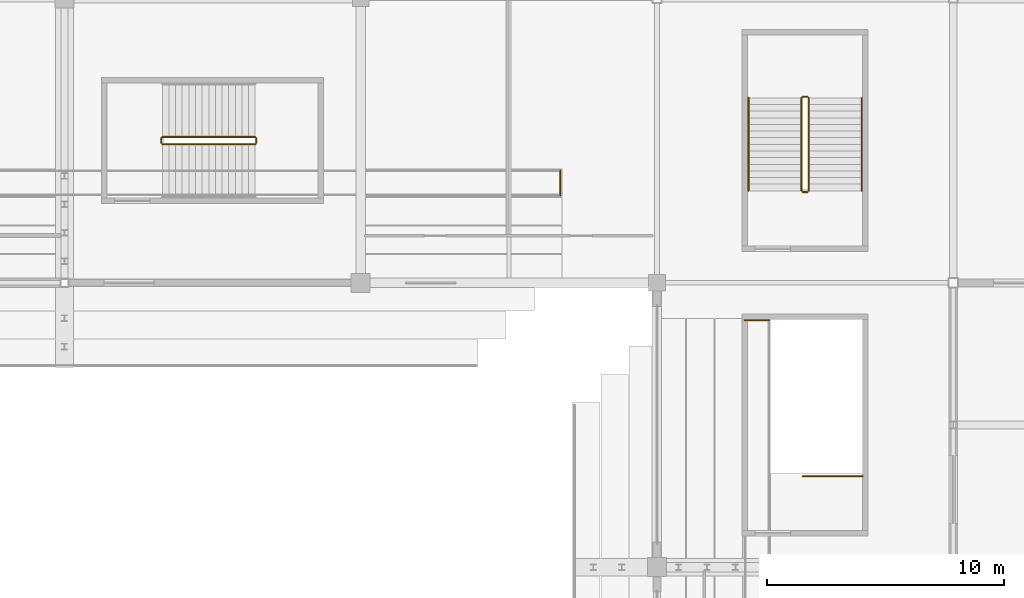
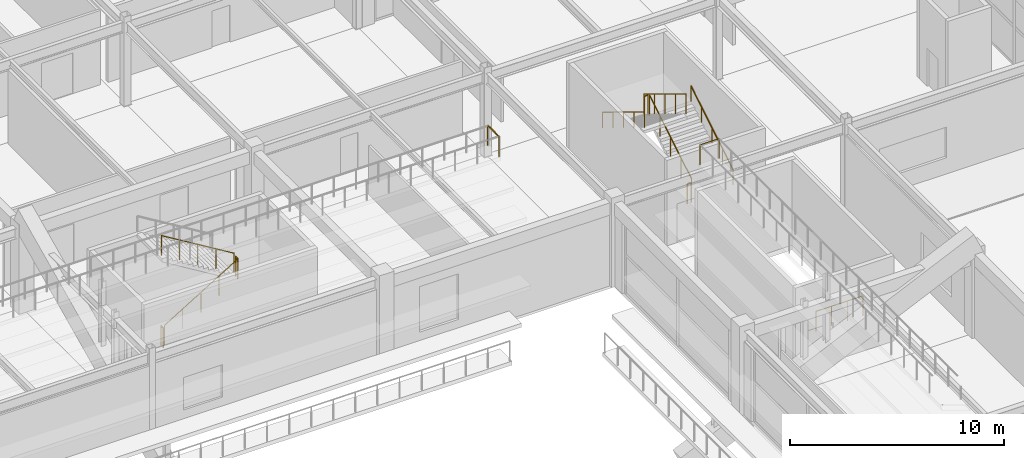
# One storey, part 121 of 128: 13 railings.
"""IFC4 building model written with IfcOpenShell, lengths in metres."""

from ifc_helpers import new_model, si_unit, direction, frame, origin, origin_2d, place, context, subcontext, project, spatial, circle, extrude, material, layer, layer_set, type_object, element, save


model = new_model("IFC4")

# Units and contexts
model_context = context("Model", 3, precision=1e-05, world=origin(), true_north=direction((0.0, 1.0)))
body_context = subcontext(model_context, "Body", "Model", "MODEL_VIEW")
ifc_project = project(units=[si_unit("LENGTHUNIT", "METRE"), si_unit("AREAUNIT", "SQUARE_METRE"), si_unit("VOLUMEUNIT", "CUBIC_METRE"), si_unit("PLANEANGLEUNIT", "RADIAN"), si_unit("MASSUNIT", "GRAM", prefix="KILO")], contexts=[model_context])

# Site, building, storey
site_placement = place(None, origin())
site = spatial("IfcSite", under=ifc_project, at=site_placement, CompositionType="ELEMENT")
building_placement = place(site_placement, origin())
building = spatial("IfcBuilding", under=site, at=building_placement, Name="Kazenohara Klinker Stadium", CompositionType="ELEMENT")
storey_placement = place(building_placement, frame((0.0, 0.0, 15.300048828125)))
storey = spatial("IfcBuildingStorey", under=building, at=storey_placement, Name="L03", CompositionType="ELEMENT", Elevation=15.300048828125)

# Railings
ifc_material_1 = material(Name="Galvanised powder-coated steel guardrail", Category="steel")
ifc_layer_1 = layer(ifc_material_1, 0.070068359375)
ifc_layer_set_1 = layer_set([ifc_layer_1], Name="Galvanised powder-coated steel guardrail")
railing_type_1 = type_object("IfcRailingType", Name="RL-GRD-1150", PredefinedType="GUARDRAIL", material=ifc_layer_set_1)
railing_1_placement = place(storey_placement, frame((178.699951171875, 130.419921875, 6.349853515625)))
element("IfcRailing", 1, at=railing_1_placement, inside=storey, type_object=railing_type_1, Name="Spectator stand sightline guardrail TIER-UPPER-E-01-N", PredefinedType="GUARDRAIL", context=body_context, shape_type="SweptSolid", body=[
    extrude(circle(Radius=0.02392578125, at=origin_2d()), frame((0.0, 0.0, 1.1259765625), z_axis=(1.0, 0.0, 0.0), x_axis=(0.0, 1.0, 0.0)), (0.0, 0.0, 1.0), 1.0400390625),
    extrude(circle(Radius=0.02099609375, at=origin_2d()), origin(), (0.0, 0.0, 1.0), 1.101806640625),
    extrude(circle(Radius=0.02099609375, at=origin_2d()), frame((1.0400390625, 0.0, 0.0)), (0.0, 0.0, 1.0), 1.101806640625),
])
railing_2_placement = place(storey_placement, frame((170.919921875, 135.699951171875, 6.349853515625)))
element("IfcRailing", 2, at=railing_2_placement, inside=storey, type_object=railing_type_1, Name="Spectator stand sightline guardrail TIER-UPPER-N-01-E", PredefinedType="GUARDRAIL", context=body_context, shape_type="SweptSolid", body=[
    extrude(circle(Radius=0.02392578125, at=origin_2d()), frame((0.0, 0.0, 1.1259765625), z_axis=(0.0, 1.0, 0.0), x_axis=(-1.0, 0.0, 0.0)), (0.0, 0.0, 1.0), 1.0400390625),
    extrude(circle(Radius=0.02099609375, at=origin_2d()), origin(), (0.0, 0.0, 1.0), 1.101806640625),
    extrude(circle(Radius=0.02099609375, at=origin_2d()), frame((0.0, 1.0400390625, 0.0)), (0.0, 0.0, 1.0), 1.101806640625),
])
ifc_material_2 = material(Name="Brushed stainless steel 304 handrail", Category="steel")
ifc_layer_2 = layer(ifc_material_2, 0.050048828125)
ifc_layer_set_2 = layer_set([ifc_layer_2], Name="Brushed stainless steel 304 handrail")
railing_type_2 = type_object("IfcRailingType", Name="RL-HND-900", PredefinedType="HANDRAIL", material=ifc_layer_set_2)
railing_3_placement = place(storey_placement, frame((183.639892578125, 135.8798828125, 0.169921875)))
element("IfcRailing", 3, at=railing_3_placement, inside=storey, type_object=railing_type_2, Name="L03 ST12 stair handrail 1", PredefinedType="HANDRAIL", context=body_context, shape_type="SweptSolid", body=[
    extrude(circle(Radius=0.02392578125, at=origin_2d()), frame((0.0, 0.0, 0.8759765625), z_axis=(0.0, 0.854784984964, 0.518982301701), x_axis=(-1.0, 0.0, 0.0)), (0.0, 0.0, 1.0), 4.586181640625),
    extrude(circle(Radius=0.02099609375, at=origin_2d()), origin(), (0.0, 0.0, 1.0), 0.851806640625),
    extrude(circle(Radius=0.02099609375, at=origin_2d()), frame((0.0, 0.97998046875, 0.594970703125)), (0.0, 0.0, 1.0), 0.851806640625),
    extrude(circle(Radius=0.02099609375, at=origin_2d()), frame((0.0, 1.9599609375, 1.18994140625)), (0.0, 0.0, 1.0), 0.851806640625),
    extrude(circle(Radius=0.02099609375, at=origin_2d()), frame((0.0, 2.940185546875, 1.78515625)), (0.0, 0.0, 1.0), 0.851806640625),
    extrude(circle(Radius=0.02099609375, at=origin_2d()), frame((0.0, 3.920166015625, 2.380126953125)), (0.0, 0.0, 1.0), 0.851806640625),
])
railing_4_placement = place(storey_placement, frame((178.860107421875, 139.800048828125, 2.719970703125)))
element("IfcRailing", 4, at=railing_4_placement, inside=storey, type_object=railing_type_2, Name="L03 ST12 stair handrail 2", PredefinedType="HANDRAIL", context=body_context, shape_type="SweptSolid", body=[
    extrude(circle(Radius=0.02392578125, at=origin_2d()), frame((0.0, 0.0, 0.8759765625), z_axis=(0.0, -0.854808600491, 0.518943403973), x_axis=(1.0, 0.0, 0.0)), (0.0, 0.0, 1.0), 4.5859375),
    extrude(circle(Radius=0.02099609375, at=origin_2d()), origin(), (0.0, 0.0, 1.0), 0.851806640625),
    extrude(circle(Radius=0.02099609375, at=origin_2d()), frame((0.0, -0.97998046875, 0.594970703125)), (0.0, 0.0, 1.0), 0.851806640625),
    extrude(circle(Radius=0.02099609375, at=origin_2d()), frame((0.0, -1.9599609375, 1.18994140625)), (0.0, 0.0, 1.0), 0.851806640625),
    extrude(circle(Radius=0.02099609375, at=origin_2d()), frame((0.0, -2.940185546875, 1.784912109375)), (0.0, 0.0, 1.0), 0.851806640625),
    extrude(circle(Radius=0.02099609375, at=origin_2d()), frame((0.0, -3.920166015625, 2.3798828125)), (0.0, 0.0, 1.0), 0.851806640625),
])
ifc_material_3 = material(Name="Painted steel stairwell guardrail", Category="steel")
ifc_layer_3 = layer(ifc_material_3, 0.06005859375)
ifc_layer_set_3 = layer_set([ifc_layer_3], Name="Painted steel stairwell guardrail")
railing_type_3 = type_object("IfcRailingType", Name="RL-STG-1120", PredefinedType="GUARDRAIL", material=ifc_layer_set_3)
railing_5_placement = place(storey_placement, frame((181.39990234375, 135.8798828125, 0.169921875)))
element("IfcRailing", 5, at=railing_5_placement, inside=storey, type_object=railing_type_3, Name="L03 ST12 stair guard 1", PredefinedType="GUARDRAIL", context=body_context, shape_type="SweptSolid", body=[
    extrude(circle(Radius=0.02392578125, at=origin_2d()), frame((0.0, 0.0, 1.1259765625), z_axis=(0.0, 0.854784984964, 0.518982301701), x_axis=(-1.0, 0.0, 0.0)), (0.0, 0.0, 1.0), 4.586181640625),
    extrude(circle(Radius=0.02099609375, at=origin_2d()), origin(), (0.0, 0.0, 1.0), 1.101806640625),
    extrude(circle(Radius=0.02099609375, at=origin_2d()), frame((0.0, 0.97998046875, 0.594970703125)), (0.0, 0.0, 1.0), 1.101806640625),
    extrude(circle(Radius=0.02099609375, at=origin_2d()), frame((0.0, 1.9599609375, 1.18994140625)), (0.0, 0.0, 1.0), 1.101806640625),
    extrude(circle(Radius=0.02099609375, at=origin_2d()), frame((0.0, 2.940185546875, 1.78515625)), (0.0, 0.0, 1.0), 1.101806640625),
    extrude(circle(Radius=0.02099609375, at=origin_2d()), frame((0.0, 3.920166015625, 2.380126953125)), (0.0, 0.0, 1.0), 1.101806640625),
])
railing_6_placement = place(storey_placement, frame((181.35009765625, 139.85009765625, 2.550048828125)))
element("IfcRailing", 6, at=railing_6_placement, inside=storey, type_object=railing_type_3, Name="L03 ST12 stair guard 2", PredefinedType="GUARDRAIL", context=body_context, shape_type="SweptSolid", body=[
    extrude(circle(Radius=0.02392578125, at=origin_2d()), frame((0.0, 0.0, 1.1259765625), z_axis=(-1.0, 0.0, 0.0), x_axis=(0.0, -1.0, 0.0)), (0.0, 0.0, 1.0), 0.2001953125),
    extrude(circle(Radius=0.02099609375, at=origin_2d()), origin(), (0.0, 0.0, 1.0), 1.101806640625),
    extrude(circle(Radius=0.02099609375, at=origin_2d()), frame((-0.2001953125, 0.0, 0.0)), (0.0, 0.0, 1.0), 1.101806640625),
])
railing_7_placement = place(storey_placement, frame((181.10009765625, 139.800048828125, 2.719970703125)))
element("IfcRailing", 7, at=railing_7_placement, inside=storey, type_object=railing_type_3, Name="L03 ST12 stair guard 3", PredefinedType="GUARDRAIL", context=body_context, shape_type="SweptSolid", body=[
    extrude(circle(Radius=0.02392578125, at=origin_2d()), frame((0.0, 0.0, 1.1259765625), z_axis=(0.0, -0.854808600491, 0.518943403973), x_axis=(1.0, 0.0, 0.0)), (0.0, 0.0, 1.0), 4.5859375),
    extrude(circle(Radius=0.02099609375, at=origin_2d()), origin(), (0.0, 0.0, 1.0), 1.101806640625),
    extrude(circle(Radius=0.02099609375, at=origin_2d()), frame((0.0, -0.97998046875, 0.594970703125)), (0.0, 0.0, 1.0), 1.101806640625),
    extrude(circle(Radius=0.02099609375, at=origin_2d()), frame((0.0, -1.9599609375, 1.18994140625)), (0.0, 0.0, 1.0), 1.101806640625),
    extrude(circle(Radius=0.02099609375, at=origin_2d()), frame((0.0, -2.940185546875, 1.784912109375)), (0.0, 0.0, 1.0), 1.101806640625),
    extrude(circle(Radius=0.02099609375, at=origin_2d()), frame((0.0, -3.920166015625, 2.3798828125)), (0.0, 0.0, 1.0), 1.101806640625),
])
railing_8_placement = place(storey_placement, frame((181.35009765625, 135.830078125, 0.0)))
element("IfcRailing", 8, at=railing_8_placement, inside=storey, type_object=railing_type_3, Name="L03 ST12 stair guard 4", PredefinedType="GUARDRAIL", context=body_context, shape_type="SweptSolid", body=[
    extrude(circle(Radius=0.02392578125, at=origin_2d()), frame((0.0, 0.0, 1.1259765625), z_axis=(-1.0, 0.0, 0.0), x_axis=(0.0, -1.0, 0.0)), (0.0, 0.0, 1.0), 0.2001953125),
    extrude(circle(Radius=0.02099609375, at=origin_2d()), origin(), (0.0, 0.0, 1.0), 1.101806640625),
    extrude(circle(Radius=0.02099609375, at=origin_2d()), frame((-0.2001953125, 0.0, 0.0)), (0.0, 0.0, 1.0), 1.101806640625),
])
railing_9_placement = place(storey_placement, frame((154.1298828125, 137.85009765625, 0.169921875)))
element("IfcRailing", 9, at=railing_9_placement, inside=storey, type_object=railing_type_3, Name="L03 ST20 stair guard 1", PredefinedType="GUARDRAIL", context=body_context, shape_type="SweptSolid", body=[
    extrude(circle(Radius=0.02392578125, at=origin_2d()), frame((0.0, 0.0, 1.1259765625), z_axis=(0.854784984964, 0.0, 0.518982301701), x_axis=(0.0, 1.0, 0.0)), (0.0, 0.0, 1.0), 4.586181640625),
    extrude(circle(Radius=0.02099609375, at=origin_2d()), origin(), (0.0, 0.0, 1.0), 1.101806640625),
    extrude(circle(Radius=0.02099609375, at=origin_2d()), frame((0.97998046875, 0.0, 0.594970703125)), (0.0, 0.0, 1.0), 1.101806640625),
    extrude(circle(Radius=0.02099609375, at=origin_2d()), frame((1.9599609375, 0.0, 1.18994140625)), (0.0, 0.0, 1.0), 1.101806640625),
    extrude(circle(Radius=0.02099609375, at=origin_2d()), frame((2.940185546875, 0.0, 1.78515625)), (0.0, 0.0, 1.0), 1.101806640625),
    extrude(circle(Radius=0.02099609375, at=origin_2d()), frame((3.920166015625, 0.0, 2.380126953125)), (0.0, 0.0, 1.0), 1.101806640625),
])
railing_10_placement = place(storey_placement, frame((158.10009765625, 137.89990234375, 2.550048828125)))
element("IfcRailing", 10, at=railing_10_placement, inside=storey, type_object=railing_type_3, Name="L03 ST20 stair guard 2", PredefinedType="GUARDRAIL", context=body_context, shape_type="SweptSolid", body=[
    extrude(circle(Radius=0.02392578125, at=origin_2d()), frame((0.0, 0.0, 1.1259765625), z_axis=(0.0, 1.0, 0.0), x_axis=(-1.0, 0.0, 0.0)), (0.0, 0.0, 1.0), 0.2001953125),
    extrude(circle(Radius=0.02099609375, at=origin_2d()), origin(), (0.0, 0.0, 1.0), 1.101806640625),
    extrude(circle(Radius=0.02099609375, at=origin_2d()), frame((0.0, 0.2001953125, 0.0)), (0.0, 0.0, 1.0), 1.101806640625),
])
railing_11_placement = place(storey_placement, frame((158.050048828125, 138.14990234375, 2.719970703125)))
element("IfcRailing", 11, at=railing_11_placement, inside=storey, type_object=railing_type_3, Name="L03 ST20 stair guard 3", PredefinedType="GUARDRAIL", context=body_context, shape_type="SweptSolid", body=[
    extrude(circle(Radius=0.02392578125, at=origin_2d()), frame((0.0, 0.0, 1.1259765625), z_axis=(-0.854808600491, 0.0, 0.518943403973), x_axis=(0.0, -1.0, 0.0)), (0.0, 0.0, 1.0), 4.5859375),
    extrude(circle(Radius=0.02099609375, at=origin_2d()), origin(), (0.0, 0.0, 1.0), 1.101806640625),
    extrude(circle(Radius=0.02099609375, at=origin_2d()), frame((-0.97998046875, 0.0, 0.594970703125)), (0.0, 0.0, 1.0), 1.101806640625),
    extrude(circle(Radius=0.02099609375, at=origin_2d()), frame((-1.9599609375, 0.0, 1.18994140625)), (0.0, 0.0, 1.0), 1.101806640625),
    extrude(circle(Radius=0.02099609375, at=origin_2d()), frame((-2.940185546875, 0.0, 1.784912109375)), (0.0, 0.0, 1.0), 1.101806640625),
    extrude(circle(Radius=0.02099609375, at=origin_2d()), frame((-3.920166015625, 0.0, 2.3798828125)), (0.0, 0.0, 1.0), 1.101806640625),
])
railing_12_placement = place(storey_placement, frame((154.080078125, 137.89990234375, 0.0)))
element("IfcRailing", 12, at=railing_12_placement, inside=storey, type_object=railing_type_3, Name="L03 ST20 stair guard 4", PredefinedType="GUARDRAIL", context=body_context, shape_type="SweptSolid", body=[
    extrude(circle(Radius=0.02392578125, at=origin_2d()), frame((0.0, 0.0, 1.1259765625), z_axis=(0.0, 1.0, 0.0), x_axis=(-1.0, 0.0, 0.0)), (0.0, 0.0, 1.0), 0.2001953125),
    extrude(circle(Radius=0.02099609375, at=origin_2d()), origin(), (0.0, 0.0, 1.0), 1.101806640625),
    extrude(circle(Radius=0.02099609375, at=origin_2d()), frame((0.0, 0.2001953125, 0.0)), (0.0, 0.0, 1.0), 1.101806640625),
])
railing_13_placement = place(storey_placement, frame((183.68994140625, 123.830078125, 0.0)))
element("IfcRailing", 13, at=railing_13_placement, inside=storey, type_object=railing_type_3, Name="L03 ST24 top well guard 1", PredefinedType="GUARDRAIL", context=body_context, shape_type="SweptSolid", body=[
    extrude(circle(Radius=0.02392578125, at=origin_2d()), frame((0.0, 0.0, 1.1259765625), z_axis=(-1.0, 0.0, 0.0), x_axis=(0.0, -1.0, 0.0)), (0.0, 0.0, 1.0), 2.5400390625),
    extrude(circle(Radius=0.02099609375, at=origin_2d()), origin(), (0.0, 0.0, 1.0), 1.101806640625),
    extrude(circle(Radius=0.02099609375, at=origin_2d()), frame((-0.8466796875, 0.0, 0.0)), (0.0, 0.0, 1.0), 1.101806640625),
    extrude(circle(Radius=0.02099609375, at=origin_2d()), frame((-1.693359375, 0.0, 0.0)), (0.0, 0.0, 1.0), 1.101806640625),
    extrude(circle(Radius=0.02099609375, at=origin_2d()), frame((-2.5400390625, 0.0, 0.0)), (0.0, 0.0, 1.0), 1.101806640625),
])

save(model, "model.ifc")
